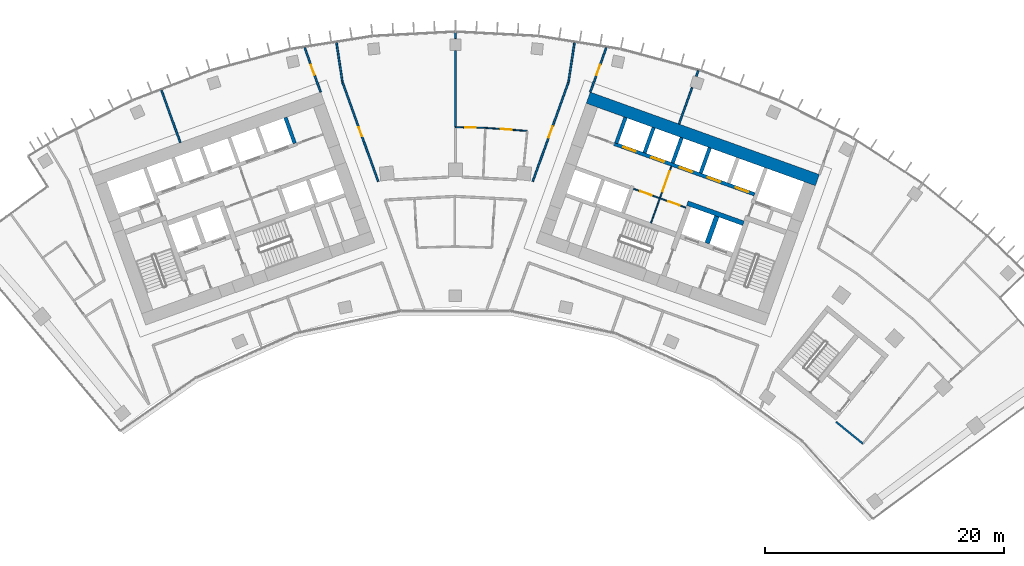
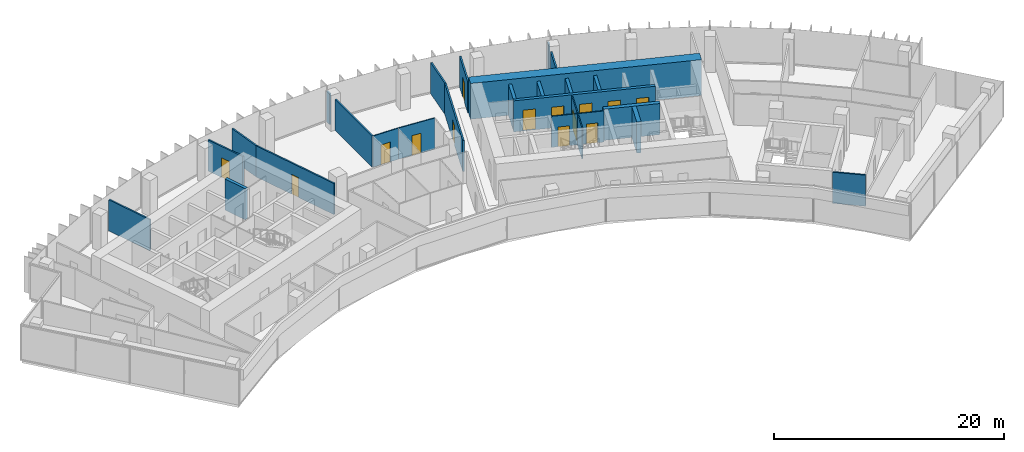
# One storey, part 15 of 19: 25 walls, 14 doors, 14 openings.
"""IFC4 building model written with IfcOpenShell, lengths in metres."""

import ifcopenshell
import ifcopenshell.guid

model = None  # the IFC model being written
_history = None  # IfcOwnerHistory: only IFC2X3 demands one
_inside = {}  # id of a spatial element -> (the spatial element, [elements in it])
_under = {}  # id of a project, library or spatial element -> (it, [spatial elements below it])
_declared = {}  # id of a project -> (the project, [libraries it declares])
_typed = {}  # id of a type object -> (the type object, [elements of that type])
_made_of = {}  # id of a material, layer set ... -> (it, [elements and type objects made of it])


def new_model(schema):
    """Start an empty IFC model of exactly this schema.

    Asked for "IFC4X3", IfcOpenShell would pick the latest addendum, in which some entities
    have other attributes; the version numbers below select the first issue.
    IFC2X3 requires an IfcOwnerHistory on every rooted entity: one is made here for all.
    """
    global model, _history
    if schema == "IFC4X3":
        model = ifcopenshell.file(schema_version=(4, 3, 0, 0))
    else:
        model = ifcopenshell.file(schema=schema)
    _inside.clear()
    _under.clear()
    _declared.clear()
    _typed.clear()
    _made_of.clear()
    _history = None
    if model.schema == "IFC2X3":
        org = make("IfcOrganization", Name="unknown")
        user = make(
            "IfcPersonAndOrganization",
            ThePerson=make("IfcPerson", FamilyName="unknown"),
            TheOrganization=org,
        )
        app = make(
            "IfcApplication",
            ApplicationDeveloper=org,
            Version="unknown",
            ApplicationFullName="unknown",
            ApplicationIdentifier="unknown",
        )
        _history = make(
            "IfcOwnerHistory",
            OwningUser=user,
            OwningApplication=app,
            ChangeAction="ADDED",
            CreationDate=0,
        )
    return model


def make(cls, **values):
    """One entity of the class cls with the attributes given. An attribute that is None is left unset."""
    return model.create_entity(
        cls, **{name: value for name, value in values.items() if value is not None}
    )


def rooted(cls, **values):
    """An entity with a GlobalId (a new one), such as an element, a storey or a relation."""
    return make(cls, GlobalId=ifcopenshell.guid.new(), OwnerHistory=_history, **values)


def si_unit(unit_type, name, prefix=None):
    """IfcSIUnit, for example si_unit("LENGTHUNIT", "METRE", prefix="MILLI")."""
    return make("IfcSIUnit", UnitType=unit_type, Prefix=prefix, Name=name)


def assignment(units):
    """IfcUnitAssignment: the units of a project."""
    return None if units is None else make("IfcUnitAssignment", Units=units)


def point(xyz):
    """IfcCartesianPoint."""
    return None if xyz is None else make("IfcCartesianPoint", Coordinates=xyz)


def direction(xyz):
    """IfcDirection."""
    return None if xyz is None else make("IfcDirection", DirectionRatios=xyz)


def frame(location, z_axis=None, x_axis=None):
    """IfcAxis2Placement3D, a coordinate frame: its origin and axes. An axis left out is left unset."""
    return make(
        "IfcAxis2Placement3D",
        Location=point(location),
        Axis=direction(z_axis),
        RefDirection=direction(x_axis),
    )


def frame_2d(location, x_axis=None):
    """IfcAxis2Placement2D, a coordinate frame in the plane: its origin and x axis."""
    return make(
        "IfcAxis2Placement2D", Location=point(location), RefDirection=direction(x_axis)
    )


def origin():
    """The frame at (0, 0, 0) with its axes left unset."""
    return frame((0.0, 0.0, 0.0))


def place(relative_to, where):
    """IfcLocalPlacement: puts the frame where relative to a parent placement (None: the world)."""
    return make(
        "IfcLocalPlacement", PlacementRelTo=relative_to, RelativePlacement=where
    )


def context(
    kind, dimensions, precision=None, world=None, true_north=None, identifier=None
):
    """IfcGeometricRepresentationContext, for example the 3D "Model" context."""
    return make(
        "IfcGeometricRepresentationContext",
        ContextIdentifier=identifier,
        ContextType=kind,
        CoordinateSpaceDimension=dimensions,
        Precision=precision,
        WorldCoordinateSystem=world,
        TrueNorth=true_north,
    )


def subcontext(parent, identifier, kind, view, scale=None):
    """IfcGeometricRepresentationSubContext, for example "Body" below "Model"."""
    return make(
        "IfcGeometricRepresentationSubContext",
        ContextIdentifier=identifier,
        ContextType=kind,
        ParentContext=parent,
        TargetScale=scale,
        TargetView=view,
    )


def project(units=None, contexts=None):
    """IfcProject with its units and contexts."""
    return rooted(
        "IfcProject",
        Name="project",
        RepresentationContexts=contexts,
        UnitsInContext=assignment(units),
    )


def spatial(cls, under=None, at=None, **own):
    """A site, building, storey or space (cls), placed at a placement, below another one or the project."""
    s = rooted(cls, ObjectPlacement=at, **own)
    if under is not None:
        _under.setdefault(under.id(), (under, []))[1].append(s)
    return s


def profile(cls, at=None, kind="AREA", **sizes):
    """A parametric profile (cls). Its sizes go by their IFC names, for example OverallWidth=200.0."""
    return make(cls, ProfileType=kind, Position=at, **sizes)


def rectangle(**sizes):
    """IfcRectangleProfileDef."""
    return profile("IfcRectangleProfileDef", **sizes)


def extrude(swept, where, along, depth):
    """IfcExtrudedAreaSolid: the profile swept, set in the frame where, extruded along a direction by depth."""
    return make(
        "IfcExtrudedAreaSolid",
        SweptArea=swept,
        Position=where,
        ExtrudedDirection=direction(along),
        Depth=depth,
    )


def shape(context_of_items, identifier, shape_type, items):
    """IfcShapeRepresentation: the items that make up one representation, for example the "Body"."""
    return make(
        "IfcShapeRepresentation",
        ContextOfItems=context_of_items,
        RepresentationIdentifier=identifier,
        RepresentationType=shape_type,
        Items=items,
    )


def material(Name=None, Category=None):
    """IfcMaterial."""
    return make("IfcMaterial", Name=Name, Category=Category)


def layer(
    of_material, thickness, ventilated=None, Name=None, Category=None, Priority=None
):
    """IfcMaterialLayer: one layer of a wall or slab, of a material (None: an air gap)."""
    return make(
        "IfcMaterialLayer",
        Material=of_material,
        LayerThickness=thickness,
        IsVentilated=ventilated,
        Name=Name,
        Category=Category,
        Priority=Priority,
    )


def layer_set(layers, Name=None):
    """IfcMaterialLayerSet."""
    return make("IfcMaterialLayerSet", MaterialLayers=layers, LayerSetName=Name)


def made_of(thing, what):
    """Note that an element or type object is made of a material, layer set ...; save() writes the relation."""
    if what is not None:
        _made_of.setdefault(what.id(), (what, []))[1].append(thing)
    return thing


def type_object(cls, material=None, **own):
    """A type object (cls), such as IfcWallType, which elements share."""
    return made_of(rooted(cls, **own), material)


def element(
    cls,
    number,
    at=None,
    inside=None,
    cuts=None,
    type_object=None,
    material=None,
    context=None,
    identifier="Body",
    shape_type=None,
    held_by="IfcProductDefinitionShape",
    body=None,
    shapes=None,
    **own,
):
    """One element of the class cls, such as IfcWall. Its Tag is "e" and its number.

    at: its placement. inside: the storey or other place that contains it. cuts: it is an
    opening in that element (IfcRelVoidsElement). A single representation is given by context,
    identifier, shape_type and body (its items); several are given by shapes. held_by: the class
    of the entity that holds the representations. save() writes the other relations.
    """
    e = rooted(cls, Tag="e%d" % number, ObjectPlacement=at, **own)
    if body is not None:
        shapes = [shape(context, identifier, shape_type, body)]
    if shapes is not None:
        e.Representation = make(held_by, Representations=shapes)
    if inside is not None:
        _inside.setdefault(inside.id(), (inside, []))[1].append(e)
    if cuts is not None:
        rooted(
            "IfcRelVoidsElement", RelatingBuildingElement=cuts, RelatedOpeningElement=e
        )
    if type_object is not None:
        _typed.setdefault(type_object.id(), (type_object, []))[1].append(e)
    return made_of(e, material)


def fill(opening, filler):
    """IfcRelFillsElement: the door or window that sits in an opening."""
    return rooted(
        "IfcRelFillsElement",
        RelatingOpeningElement=opening,
        RelatedBuildingElement=filler,
    )


def aggregate(whole, parts):
    """IfcRelAggregates: a whole, such as a stair, and the parts it consists of."""
    return rooted("IfcRelAggregates", RelatingObject=whole, RelatedObjects=parts)


def save(model, path):
    """Write the relations noted so far, then the file.

    IfcRelAggregates (storeys below a building ...), IfcRelContainedInSpatialStructure (elements
    in a storey), IfcRelDefinesByType, IfcRelAssociatesMaterial and IfcRelDeclares: one each for
    every whole, place, type object, material and project.
    """
    for whole, parts in _under.values():
        aggregate(whole, parts)
    for where, things in _inside.values():
        rooted(
            "IfcRelContainedInSpatialStructure",
            RelatedElements=things,
            RelatingStructure=where,
        )
    for kind, things in _typed.values():
        rooted("IfcRelDefinesByType", RelatedObjects=things, RelatingType=kind)
    for what, things in _made_of.values():
        rooted("IfcRelAssociatesMaterial", RelatedObjects=things, RelatingMaterial=what)
    for by, libraries in _declared.values():
        rooted("IfcRelDeclares", RelatingContext=by, RelatedDefinitions=libraries)
    model.write(path)


model = new_model("IFC4")

# Units and contexts
model_context = context("Model", 3, precision=1e-05, world=origin(), true_north=direction((0.0, 1.0)))
body_context = subcontext(model_context, "Body", "Model", "MODEL_VIEW")
ifc_project = project(units=[si_unit("LENGTHUNIT", "METRE"), si_unit("AREAUNIT", "SQUARE_METRE"), si_unit("VOLUMEUNIT", "CUBIC_METRE"), si_unit("PLANEANGLEUNIT", "RADIAN"), si_unit("MASSUNIT", "GRAM", prefix="KILO")], contexts=[model_context])

# Site, building, storey
site_placement = place(None, origin())
site = spatial("IfcSite", under=ifc_project, at=site_placement, CompositionType="ELEMENT")
building_placement = place(site_placement, origin())
building = spatial("IfcBuilding", under=site, at=building_placement, Name="Stone Belt Terrace Tower", CompositionType="ELEMENT")
storey_placement = place(building_placement, frame((0.0, 0.0, 246.60009765625)))
storey = spatial("IfcBuildingStorey", under=building, at=storey_placement, Name="L60", CompositionType="ELEMENT", Elevation=246.60009765625)

# Wall, openings, doors
ifc_material_1 = material(Name="Plasterboard partition")
ifc_layer_1 = layer(ifc_material_1, 0.10009765625)
ifc_layer_set_1 = layer_set([ifc_layer_1], Name="Core partition 100")
wall_type_1 = type_object("IfcWallType", Name="Core partition 100", PredefinedType="PARTITIONING", material=ifc_layer_set_1)
wall_1_placement = place(storey_placement, frame((19.29052734375, 51.829833984375, 0.0), z_axis=(0.0, 0.0, 1.0), x_axis=(-0.940930240745, 0.338600475563, 0.0)))
wall_1 = element("IfcWall", 1, at=wall_1_placement, inside=storey, type_object=wall_type_1, Name="Core B wall", PredefinedType="PARTITIONING", context=body_context, shape_type="SweptSolid", body=[
    extrude(rectangle(XDim=4.64990234375, YDim=0.10009765625, at=frame_2d((2.324951171875, 0.0))), origin(), (0.0, 0.0, 1.0), 3.2998046875),
])
opening_1_placement = place(wall_1_placement, frame((0.550048828125, 0.0, 0.0)))
opening_1 = element("IfcOpeningElement", 2, at=opening_1_placement, cuts=wall_1, Name="Opening L60-C16", PredefinedType="OPENING", context=body_context, shape_type="SweptSolid", body=[
    extrude(rectangle(XDim=1.0, YDim=2.10009765625, at=frame_2d((0.5, 1.050048828125))), frame((0.0, 0.06005859375, 0.0), z_axis=(0.0, -1.0, 0.0), x_axis=(1.0, 0.0, 0.0)), (0.0, 0.0, 1.0), 0.1201171875),
])
opening_2_placement = place(wall_1_placement, frame((3.050048828125, 0.0, 0.0)))
opening_2 = element("IfcOpeningElement", 3, at=opening_2_placement, cuts=wall_1, Name="Opening L60-C17", PredefinedType="OPENING", context=body_context, shape_type="SweptSolid", body=[
    extrude(rectangle(XDim=1.0, YDim=2.10009765625, at=frame_2d((0.5, 1.050048828125))), frame((0.0, 0.06005859375, 0.0), z_axis=(0.0, -1.0, 0.0), x_axis=(1.0, 0.0, 0.0)), (0.0, 0.0, 1.0), 0.1201171875),
])
ifc_material_2 = material(Name="Timber door leaf", Category="wood")
door_type_1 = type_object("IfcDoorType", Name="Core room door 1000", OperationType="SINGLE_SWING_LEFT", PredefinedType="DOOR", material=ifc_material_2)
door_1_placement = place(opening_1_placement, origin())
door_1 = element("IfcDoor", 4, at=door_1_placement, inside=storey, type_object=door_type_1, Name="Door to Print and copy room core B", OperationType="SINGLE_SWING_RIGHT", OverallHeight=2.10009765625, OverallWidth=1.0, PredefinedType="DOOR", context=body_context, shape_type="SweptSolid", body=[
    extrude(rectangle(XDim=1.0, YDim=2.10009765625, at=frame_2d((0.5, 1.050048828125))), frame((0.0, 0.02490234375, 0.0), z_axis=(0.0, -1.0, 0.0), x_axis=(1.0, 0.0, 0.0)), (0.0, 0.0, 1.0), 0.050048828125),
])
fill(opening_1, door_1)
door_2_placement = place(opening_2_placement, origin())
door_2 = element("IfcDoor", 5, at=door_2_placement, inside=storey, type_object=door_type_1, Name="Door to Pantry core B", OperationType="SINGLE_SWING_LEFT", OverallHeight=2.10009765625, OverallWidth=1.0, PredefinedType="DOOR", context=body_context, shape_type="SweptSolid", body=[
    extrude(rectangle(XDim=1.0, YDim=2.10009765625, at=frame_2d((0.5, 1.050048828125))), frame((0.0, 0.02490234375, 0.0), z_axis=(0.0, -1.0, 0.0), x_axis=(1.0, 0.0, 0.0)), (0.0, 0.0, 1.0), 0.050048828125),
])
fill(opening_2, door_2)

# Wall, opening, door
wall_2_placement = place(storey_placement, frame((16.38134765625, 50.53857421875, 0.0), z_axis=(0.0, 0.0, 1.0), x_axis=(0.33860476744, 0.940928696271, 0.0)))
wall_2 = element("IfcWall", 6, at=wall_2_placement, inside=storey, type_object=wall_type_1, Name="Core B wall", PredefinedType="PARTITIONING", context=body_context, shape_type="SweptSolid", body=[
    extrude(rectangle(XDim=5.050048828125, YDim=0.10009765625, at=frame_2d((2.52490234375, 0.0))), origin(), (0.0, 0.0, 1.0), 3.2998046875),
])
opening_3_placement = place(wall_2_placement, frame((2.800048828125, 0.0, 0.0)))
opening_3 = element("IfcOpeningElement", 7, at=opening_3_placement, cuts=wall_2, Name="Opening L60-C20", PredefinedType="OPENING", context=body_context, shape_type="SweptSolid", body=[
    extrude(rectangle(XDim=1.800048828125, YDim=2.10009765625, at=frame_2d((0.89990234375, 1.050048828125))), frame((0.0, 0.06005859375, 0.0), z_axis=(0.0, -1.0, 0.0), x_axis=(1.0, 0.0, 0.0)), (0.0, 0.0, 1.0), 0.1201171875),
])
ifc_material_3 = material(Name="Glazed aluminium door leaf", Category="aluminium")
door_type_2 = type_object("IfcDoorType", Name="Lift lobby entrance door 1800", OperationType="DOUBLE_DOOR_SINGLE_SWING", PredefinedType="DOOR", material=ifc_material_3)
door_3_placement = place(opening_3_placement, origin())
door_3 = element("IfcDoor", 8, at=door_3_placement, inside=storey, type_object=door_type_2, Name="Lift lobby double door core B", OperationType="DOUBLE_DOOR_SINGLE_SWING", OverallHeight=2.10009765625, OverallWidth=1.800048828125, PredefinedType="DOOR", context=body_context, shape_type="SweptSolid", body=[
    extrude(rectangle(XDim=1.800048828125, YDim=2.10009765625, at=frame_2d((0.89990234375, 1.050048828125))), frame((0.0, 0.02490234375, 0.0), z_axis=(0.0, -1.0, 0.0), x_axis=(1.0, 0.0, 0.0)), (0.0, 0.0, 1.0), 0.050048828125),
])
fill(opening_3, door_3)

# Walls
ifc_material_4 = material(Name="Concrete B60", Category="concrete")
ifc_layer_2 = layer(ifc_material_4, 1.0)
ifc_layer_set_2 = layer_set([ifc_layer_2], Name="Core wall 1000 B60")
wall_type_2 = type_object("IfcWallType", Name="Core wall 1000 B60", PredefinedType="SHEAR", material=ifc_layer_set_2)
wall_3_placement = place(storey_placement, frame((11.12646484375, 61.038330078125, 0.0), z_axis=(0.0, 0.0, 1.0), x_axis=(0.940921428504, -0.338624962727, 0.0)))
element("IfcWall", 9, at=wall_3_placement, inside=storey, type_object=wall_type_2, Name="Core B wall convex L60", PredefinedType="SHEAR", context=body_context, shape_type="SweptSolid", body=[
    extrude(rectangle(XDim=20.400146484375, YDim=1.0, at=frame_2d((10.2001953125, 0.0))), origin(), (0.0, 0.0, 1.0), 3.7998046875),
])
ifc_material_5 = material(Name="Concrete B80", Category="concrete")
ifc_layer_3 = layer(ifc_material_5, 0.39990234375)
ifc_layer_set_3 = layer_set([ifc_layer_3], Name="Fire-fighting lift shaft wall 400")
wall_type_3 = type_object("IfcWallType", Name="Fire-fighting lift shaft wall 400", PredefinedType="SHEAR", material=ifc_layer_set_3)
wall_4_placement = place(storey_placement, frame((24.130615234375, 50.512939453125, 0.0), z_axis=(0.0, 0.0, 1.0), x_axis=(-0.94091168377, 0.338652038744, 0.0)))
element("IfcWall", 10, at=wall_4_placement, inside=storey, type_object=wall_type_3, Name="Core B wall", PredefinedType="SHEAR", context=body_context, shape_type="SweptSolid", body=[
    extrude(rectangle(XDim=5.000244140625, YDim=0.39990234375, at=frame_2d((2.5, 0.0))), origin(), (0.0, 0.0, 1.0), 3.2998046875),
])
wall_5_placement = place(storey_placement, frame((21.0859375, 48.845458984375, 0.0), z_axis=(0.0, 0.0, 1.0), x_axis=(0.338629416206, 0.940919825745, 0.0)))
element("IfcWall", 11, at=wall_5_placement, inside=storey, type_object=wall_type_3, Name="Core B wall", PredefinedType="SHEAR", context=body_context, shape_type="SweptSolid", body=[
    extrude(rectangle(XDim=2.400146484375, YDim=0.39990234375, at=frame_2d((1.2001953125, 0.0))), origin(), (0.0, 0.0, 1.0), 3.2998046875),
])
ifc_layer_4 = layer(ifc_material_5, 0.300048828125)
ifc_layer_set_4 = layer_set([ifc_layer_4], Name="Lift shaft wall 300")
wall_type_4 = type_object("IfcWallType", Name="Lift shaft wall 300", PredefinedType="SHEAR", material=ifc_layer_set_4)
wall_6_placement = place(storey_placement, frame((-13.471435546875, 57.218505859375, 0.0), z_axis=(0.0, 0.0, 1.0), x_axis=(-0.338587917, 0.940934759939, 0.0)))
element("IfcWall", 12, at=wall_6_placement, inside=storey, type_object=wall_type_4, Name="Core A wall", PredefinedType="SHEAR", context=body_context, shape_type="SweptSolid", body=[
    extrude(rectangle(XDim=2.300048828125, YDim=0.300048828125, at=frame_2d((1.14990234375, 0.0))), origin(), (0.0, 0.0, 1.0), 3.2998046875),
])

# Wall, openings, doors
wall_7_placement = place(storey_placement, frame((25.05810546875, 52.9423828125, 0.0), z_axis=(0.0, 0.0, 1.0), x_axis=(-0.940920770291, 0.338626791666, 0.0)))
wall_7 = element("IfcWall", 13, at=wall_7_placement, inside=storey, type_object=wall_type_4, Name="Core B wall", PredefinedType="SHEAR", context=body_context, shape_type="SweptSolid", body=[
    extrude(rectangle(XDim=12.500244140625, YDim=0.300048828125, at=frame_2d((6.25, 0.0))), origin(), (0.0, 0.0, 1.0), 3.2998046875),
])
opening_4_placement = place(wall_7_placement, frame((0.570068359375, 0.0, 0.0)))
opening_4 = element("IfcOpeningElement", 14, at=opening_4_placement, cuts=wall_7, Name="Opening L60-LD09", PredefinedType="OPENING", context=body_context, shape_type="SweptSolid", body=[
    extrude(rectangle(XDim=1.10009765625, YDim=2.199951171875, at=frame_2d((0.550048828125, 1.10009765625))), frame((0.0, 0.159912109375, 0.0), z_axis=(0.0, -1.0, 0.0), x_axis=(1.0, 0.0, 0.0)), (0.0, 0.0, 1.0), 0.320068359375),
])
opening_5_placement = place(wall_7_placement, frame((3.070068359375, 0.0, 0.0)))
opening_5 = element("IfcOpeningElement", 15, at=opening_5_placement, cuts=wall_7, Name="Opening L60-LD10", PredefinedType="OPENING", context=body_context, shape_type="SweptSolid", body=[
    extrude(rectangle(XDim=1.10009765625, YDim=2.199951171875, at=frame_2d((0.550048828125, 1.10009765625))), frame((0.0, 0.159912109375, 0.0), z_axis=(0.0, -1.0, 0.0), x_axis=(1.0, 0.0, 0.0)), (0.0, 0.0, 1.0), 0.320068359375),
])
opening_6_placement = place(wall_7_placement, frame((5.570068359375, 0.0, 0.0)))
opening_6 = element("IfcOpeningElement", 16, at=opening_6_placement, cuts=wall_7, Name="Opening L60-LD11", PredefinedType="OPENING", context=body_context, shape_type="SweptSolid", body=[
    extrude(rectangle(XDim=1.10009765625, YDim=2.199951171875, at=frame_2d((0.550048828125, 1.10009765625))), frame((0.0, 0.159912109375, 0.0), z_axis=(0.0, -1.0, 0.0), x_axis=(1.0, 0.0, 0.0)), (0.0, 0.0, 1.0), 0.320068359375),
])
opening_7_placement = place(wall_7_placement, frame((8.070068359375, 0.0, 0.0)))
opening_7 = element("IfcOpeningElement", 17, at=opening_7_placement, cuts=wall_7, Name="Opening L60-LD12", PredefinedType="OPENING", context=body_context, shape_type="SweptSolid", body=[
    extrude(rectangle(XDim=1.10009765625, YDim=2.199951171875, at=frame_2d((0.550048828125, 1.10009765625))), frame((0.0, 0.159912109375, 0.0), z_axis=(0.0, -1.0, 0.0), x_axis=(1.0, 0.0, 0.0)), (0.0, 0.0, 1.0), 0.320068359375),
])
opening_8_placement = place(wall_7_placement, frame((10.570068359375, 0.0, 0.0)))
opening_8 = element("IfcOpeningElement", 18, at=opening_8_placement, cuts=wall_7, Name="Opening L60-LD13", PredefinedType="OPENING", context=body_context, shape_type="SweptSolid", body=[
    extrude(rectangle(XDim=1.10009765625, YDim=2.199951171875, at=frame_2d((0.550048828125, 1.10009765625))), frame((0.0, 0.159912109375, 0.0), z_axis=(0.0, -1.0, 0.0), x_axis=(1.0, 0.0, 0.0)), (0.0, 0.0, 1.0), 0.320068359375),
])
ifc_material_6 = material(Name="Stainless steel door leaf", Category="steel")
door_type_3 = type_object("IfcDoorType", Name="Landing door 1100", OperationType="SLIDING_TO_LEFT", PredefinedType="DOOR", material=ifc_material_6)
door_4_placement = place(opening_4_placement, origin())
door_4 = element("IfcDoor", 19, at=door_4_placement, inside=storey, type_object=door_type_3, Name="Landing door MR1 core B", OperationType="SLIDING_TO_LEFT", OverallHeight=2.199951171875, OverallWidth=1.10009765625, PredefinedType="DOOR", context=body_context, shape_type="SweptSolid", body=[
    extrude(rectangle(XDim=1.10009765625, YDim=2.199951171875, at=frame_2d((0.550048828125, 1.10009765625))), frame((0.0, 0.02490234375, 0.0), z_axis=(0.0, -1.0, 0.0), x_axis=(1.0, 0.0, 0.0)), (0.0, 0.0, 1.0), 0.050048828125),
])
fill(opening_4, door_4)
door_5_placement = place(opening_5_placement, origin())
door_5 = element("IfcDoor", 20, at=door_5_placement, inside=storey, type_object=door_type_3, Name="Landing door MR2 core B", OperationType="SLIDING_TO_LEFT", OverallHeight=2.199951171875, OverallWidth=1.10009765625, PredefinedType="DOOR", context=body_context, shape_type="SweptSolid", body=[
    extrude(rectangle(XDim=1.10009765625, YDim=2.199951171875, at=frame_2d((0.550048828125, 1.10009765625))), frame((0.0, 0.02490234375, 0.0), z_axis=(0.0, -1.0, 0.0), x_axis=(1.0, 0.0, 0.0)), (0.0, 0.0, 1.0), 0.050048828125),
])
fill(opening_5, door_5)
door_6_placement = place(opening_6_placement, origin())
door_6 = element("IfcDoor", 21, at=door_6_placement, inside=storey, type_object=door_type_3, Name="Landing door MR3 core B", OperationType="SLIDING_TO_LEFT", OverallHeight=2.199951171875, OverallWidth=1.10009765625, PredefinedType="DOOR", context=body_context, shape_type="SweptSolid", body=[
    extrude(rectangle(XDim=1.10009765625, YDim=2.199951171875, at=frame_2d((0.550048828125, 1.10009765625))), frame((0.0, 0.02490234375, 0.0), z_axis=(0.0, -1.0, 0.0), x_axis=(1.0, 0.0, 0.0)), (0.0, 0.0, 1.0), 0.050048828125),
])
fill(opening_6, door_6)
door_7_placement = place(opening_7_placement, origin())
door_7 = element("IfcDoor", 22, at=door_7_placement, inside=storey, type_object=door_type_3, Name="Landing door MR4 core B", OperationType="SLIDING_TO_LEFT", OverallHeight=2.199951171875, OverallWidth=1.10009765625, PredefinedType="DOOR", context=body_context, shape_type="SweptSolid", body=[
    extrude(rectangle(XDim=1.10009765625, YDim=2.199951171875, at=frame_2d((0.550048828125, 1.10009765625))), frame((0.0, 0.02490234375, 0.0), z_axis=(0.0, -1.0, 0.0), x_axis=(1.0, 0.0, 0.0)), (0.0, 0.0, 1.0), 0.050048828125),
])
fill(opening_7, door_7)
door_8_placement = place(opening_8_placement, origin())
door_8 = element("IfcDoor", 23, at=door_8_placement, inside=storey, type_object=door_type_3, Name="Landing door MR5 core B", OperationType="SLIDING_TO_LEFT", OverallHeight=2.199951171875, OverallWidth=1.10009765625, PredefinedType="DOOR", context=body_context, shape_type="SweptSolid", body=[
    extrude(rectangle(XDim=1.10009765625, YDim=2.199951171875, at=frame_2d((0.550048828125, 1.10009765625))), frame((0.0, 0.02490234375, 0.0), z_axis=(0.0, -1.0, 0.0), x_axis=(1.0, 0.0, 0.0)), (0.0, 0.0, 1.0), 0.050048828125),
])
fill(opening_8, door_8)

# Walls
wall_8_placement = place(storey_placement, frame((20.54541015625, 54.72607421875, 0.0), z_axis=(0.0, 0.0, 1.0), x_axis=(0.338569601369, 0.940941350472, 0.0)))
element("IfcWall", 24, at=wall_8_placement, inside=storey, type_object=wall_type_4, Name="Core B wall", PredefinedType="SHEAR", context=body_context, shape_type="SweptSolid", body=[
    extrude(rectangle(XDim=2.249755859375, YDim=0.300048828125, at=frame_2d((1.125, 0.0))), origin(), (0.0, 0.0, 1.0), 3.2998046875),
])
wall_9_placement = place(storey_placement, frame((18.193115234375, 55.572509765625, 0.0), z_axis=(0.0, 0.0, 1.0), x_axis=(0.338535034312, 0.940953787677, 0.0)))
element("IfcWall", 25, at=wall_9_placement, inside=storey, type_object=wall_type_4, Name="Core B wall", PredefinedType="SHEAR", context=body_context, shape_type="SweptSolid", body=[
    extrude(rectangle(XDim=2.25, YDim=0.300048828125, at=frame_2d((1.125, 0.0))), origin(), (0.0, 0.0, 1.0), 3.2998046875),
])
wall_10_placement = place(storey_placement, frame((15.8408203125, 56.419189453125, 0.0), z_axis=(0.0, 0.0, 1.0), x_axis=(0.338569601369, 0.940941350472, 0.0)))
element("IfcWall", 26, at=wall_10_placement, inside=storey, type_object=wall_type_4, Name="Core B wall", PredefinedType="SHEAR", context=body_context, shape_type="SweptSolid", body=[
    extrude(rectangle(XDim=2.249755859375, YDim=0.300048828125, at=frame_2d((1.125, 0.0))), origin(), (0.0, 0.0, 1.0), 3.2998046875),
])
wall_11_placement = place(storey_placement, frame((13.471435546875, 57.218505859375, 0.0), z_axis=(0.0, 0.0, 1.0), x_axis=(0.338587917, 0.940934759939, 0.0)))
element("IfcWall", 27, at=wall_11_placement, inside=storey, type_object=wall_type_4, Name="Core B wall", PredefinedType="SHEAR", context=body_context, shape_type="SweptSolid", body=[
    extrude(rectangle(XDim=2.300048828125, YDim=0.300048828125, at=frame_2d((1.14990234375, 0.0))), origin(), (0.0, 0.0, 1.0), 3.2998046875),
])

# Wall, opening, door
ifc_material_7 = material(Name="Gypsum board partition")
ifc_layer_5 = layer(ifc_material_7, 0.10009765625)
ifc_layer_set_5 = layer_set([ifc_layer_5], Name="PARTITION 100")
wall_type_5 = type_object("IfcWallType", Name="PARTITION 100", PredefinedType="PARTITIONING", material=ifc_layer_set_5)
wall_12_placement = place(storey_placement, frame((2.501953125, 58.510986328125, 0.0), z_axis=(0.0, 0.0, 1.0), x_axis=(-0.999767552504, 0.021560170678, 0.0)))
wall_12 = element("IfcWall", 28, at=wall_12_placement, inside=storey, type_object=wall_type_5, Name="L60/wall/i079", PredefinedType="PARTITIONING", context=body_context, shape_type="SweptSolid", body=[
    extrude(rectangle(XDim=2.50244140625, YDim=0.10009765625, at=frame_2d((1.251220703125, 0.0))), origin(), (0.0, 0.0, 1.0), 3.2998046875),
])
opening_9_placement = place(wall_12_placement, frame((0.80126953125, 0.0, 0.0)))
opening_9 = element("IfcOpeningElement", 29, at=opening_9_placement, cuts=wall_12, Name="Opening D-D5b-26", PredefinedType="OPENING", context=body_context, shape_type="SweptSolid", body=[
    extrude(rectangle(XDim=0.89990234375, YDim=2.10009765625, at=frame_2d((0.449951171875, 1.050048828125))), frame((0.0, 0.06005859375, 0.0), z_axis=(0.0, -1.0, 0.0), x_axis=(1.0, 0.0, 0.0)), (0.0, 0.0, 1.0), 0.1201171875),
])
door_type_4 = type_object("IfcDoorType", Name="OFFICE DOOR 900 X 2100", OperationType="NOTDEFINED", PredefinedType="DOOR", material=ifc_material_2)
door_9_placement = place(opening_9_placement, origin())
door_9 = element("IfcDoor", 30, at=door_9_placement, inside=storey, type_object=door_type_4, Name="L60/door/i26", OperationType="SINGLE_SWING_RIGHT", OverallHeight=2.10009765625, OverallWidth=0.89990234375, PredefinedType="DOOR", context=body_context, shape_type="SweptSolid", body=[
    extrude(rectangle(XDim=0.89990234375, YDim=2.10009765625, at=frame_2d((0.449951171875, 1.050048828125))), frame((0.0, 0.02490234375, 0.0), z_axis=(0.0, -1.0, 0.0), x_axis=(1.0, 0.0, 0.0)), (0.0, 0.0, 1.0), 0.050048828125),
])
fill(opening_9, door_9)

wall_13_placement = place(storey_placement, frame((6.01611328125, 58.2548828125, 0.0), z_axis=(0.0, 0.0, 1.0), x_axis=(-0.99735496008, 0.072684823755, 0.0)))
wall_13 = element("IfcWall", 31, at=wall_13_placement, inside=storey, type_object=wall_type_5, Name="L60/wall/i081", PredefinedType="PARTITIONING", context=body_context, shape_type="SweptSolid", body=[
    extrude(rectangle(XDim=3.5234375, YDim=0.10009765625, at=frame_2d((1.76171875, 0.0))), origin(), (0.0, 0.0, 1.0), 3.2998046875),
])
opening_10_placement = place(wall_13_placement, frame((1.311767578125, 0.0, 0.0)))
opening_10 = element("IfcOpeningElement", 32, at=opening_10_placement, cuts=wall_13, Name="Opening D-D5b-27", PredefinedType="OPENING", context=body_context, shape_type="SweptSolid", body=[
    extrude(rectangle(XDim=0.89990234375, YDim=2.10009765625, at=frame_2d((0.449951171875, 1.050048828125))), frame((0.0, 0.06005859375, 0.0), z_axis=(0.0, -1.0, 0.0), x_axis=(1.0, 0.0, 0.0)), (0.0, 0.0, 1.0), 0.1201171875),
])
door_10_placement = place(opening_10_placement, origin())
door_10 = element("IfcDoor", 33, at=door_10_placement, inside=storey, type_object=door_type_4, Name="L60/door/i27", OperationType="SINGLE_SWING_RIGHT", OverallHeight=2.10009765625, OverallWidth=0.89990234375, PredefinedType="DOOR", context=body_context, shape_type="SweptSolid", body=[
    extrude(rectangle(XDim=0.89990234375, YDim=2.10009765625, at=frame_2d((0.449951171875, 1.050048828125))), frame((0.0, 0.02490234375, 0.0), z_axis=(0.0, -1.0, 0.0), x_axis=(1.0, 0.0, 0.0)), (0.0, 0.0, 1.0), 0.050048828125),
])
fill(opening_10, door_10)

ifc_layer_6 = layer(ifc_material_7, 0.14990234375)
ifc_layer_set_6 = layer_set([ifc_layer_6], Name="PARTITION 150 EI 60")
wall_type_6 = type_object("IfcWallType", Name="PARTITION 150 EI 60", PredefinedType="PARTITIONING", material=ifc_layer_set_6)
wall_14_placement = place(storey_placement, frame((-11.2958984375, 61.509033203125, 0.0), z_axis=(0.0, 0.0, 1.0), x_axis=(-0.338610223579, 0.940926732795, 0.0)))
wall_14 = element("IfcWall", 34, at=wall_14_placement, inside=storey, type_object=wall_type_6, Name="L60/wall/i007", PredefinedType="PARTITIONING", context=body_context, shape_type="SweptSolid", body=[
    extrude(rectangle(XDim=3.956787109375, YDim=0.14990234375, at=frame_2d((1.978515625, 0.0))), origin(), (0.0, 0.0, 1.0), 3.2998046875),
])
opening_11_placement = place(wall_14_placement, frame((1.5283203125, 0.0, 0.0)))
opening_11 = element("IfcOpeningElement", 35, at=opening_11_placement, cuts=wall_14, Name="Opening D-D5b-05", PredefinedType="OPENING", context=body_context, shape_type="SweptSolid", body=[
    extrude(rectangle(XDim=0.89990234375, YDim=2.10009765625, at=frame_2d((0.449951171875, 1.050048828125))), frame((0.0, 0.0849609375, 0.0), z_axis=(0.0, -1.0, 0.0), x_axis=(1.0, 0.0, 0.0)), (0.0, 0.0, 1.0), 0.169921875),
])
door_11_placement = place(opening_11_placement, origin())
door_11 = element("IfcDoor", 36, at=door_11_placement, inside=storey, type_object=door_type_4, Name="L60/door/i05", OperationType="SINGLE_SWING_RIGHT", OverallHeight=2.10009765625, OverallWidth=0.89990234375, PredefinedType="DOOR", context=body_context, shape_type="SweptSolid", body=[
    extrude(rectangle(XDim=0.89990234375, YDim=2.10009765625, at=frame_2d((0.449951171875, 1.050048828125))), frame((0.0, 0.02490234375, 0.0), z_axis=(0.0, -1.0, 0.0), x_axis=(1.0, 0.0, 0.0)), (0.0, 0.0, 1.0), 0.050048828125),
])
fill(opening_11, door_11)

# Wall
wall_15_placement = place(storey_placement, frame((-9.971923828125, 65.65576171875, 0.0), z_axis=(0.0, 0.0, 1.0), x_axis=(0.150154488208, -0.988662545903, 0.0)))
element("IfcWall", 37, at=wall_15_placement, inside=storey, type_object=wall_type_6, Name="L60/wall/i009", PredefinedType="PARTITIONING", context=body_context, shape_type="SweptSolid", body=[
    extrude(rectangle(XDim=3.35595703125, YDim=0.14990234375, at=frame_2d((1.677978515625, 0.0))), origin(), (0.0, 0.0, 1.0), 3.2998046875),
])

# Wall, opening, door
wall_16_placement = place(storey_placement, frame((-9.468017578125, 62.3369140625, 0.0), z_axis=(0.0, 0.0, 1.0), x_axis=(0.338603075024, -0.940929305307, 0.0)))
wall_16 = element("IfcWall", 38, at=wall_16_placement, inside=storey, type_object=wall_type_6, Name="L60/wall/i010", PredefinedType="PARTITIONING", context=body_context, shape_type="SweptSolid", body=[
    extrude(rectangle(XDim=8.839111328125, YDim=0.14990234375, at=frame_2d((4.41943359375, 0.0))), origin(), (0.0, 0.0, 1.0), 3.2998046875),
])
opening_12_placement = place(wall_16_placement, frame((4.01953125, 0.0, 0.0)))
opening_12 = element("IfcOpeningElement", 39, at=opening_12_placement, cuts=wall_16, Name="Opening D-D5b-24", PredefinedType="OPENING", context=body_context, shape_type="SweptSolid", body=[
    extrude(rectangle(XDim=0.800048828125, YDim=2.10009765625, at=frame_2d((0.39990234375, 1.050048828125))), frame((0.0, 0.0849609375, 0.0), z_axis=(0.0, -1.0, 0.0), x_axis=(1.0, 0.0, 0.0)), (0.0, 0.0, 1.0), 0.169921875),
])
door_type_5 = type_object("IfcDoorType", Name="STORE DOOR 800 X 2100", OperationType="NOTDEFINED", PredefinedType="DOOR", material=ifc_material_2)
door_12_placement = place(opening_12_placement, origin())
door_12 = element("IfcDoor", 40, at=door_12_placement, inside=storey, type_object=door_type_5, Name="L60/door/i24", OperationType="SINGLE_SWING_LEFT", OverallHeight=2.10009765625, OverallWidth=0.800048828125, PredefinedType="DOOR", context=body_context, shape_type="SweptSolid", body=[
    extrude(rectangle(XDim=0.800048828125, YDim=2.10009765625, at=frame_2d((0.39990234375, 1.050048828125))), frame((0.0, 0.02490234375, 0.0), z_axis=(0.0, -1.0, 0.0), x_axis=(1.0, 0.0, 0.0)), (0.0, 0.0, 1.0), 0.050048828125),
])
fill(opening_12, door_12)

# Wall
wall_17_placement = place(storey_placement, frame((-24.638916015625, 61.675048828125, 0.0), z_axis=(0.0, 0.0, 1.0), x_axis=(0.338671379008, -0.940904722616, 0.0)))
element("IfcWall", 41, at=wall_17_placement, inside=storey, type_object=wall_type_6, Name="L60/wall/i016", PredefinedType="PARTITIONING", context=body_context, shape_type="SweptSolid", body=[
    extrude(rectangle(XDim=4.674072265625, YDim=0.14990234375, at=frame_2d((2.3369140625, 0.0))), origin(), (0.0, 0.0, 1.0), 3.2998046875),
])

# Wall, opening, door
wall_18_placement = place(storey_placement, frame((12.6357421875, 65.232177734375, 0.0), z_axis=(0.0, 0.0, 1.0), x_axis=(-0.338610223579, -0.940926732795, 0.0)))
wall_18 = element("IfcWall", 42, at=wall_18_placement, inside=storey, type_object=wall_type_6, Name="L60/wall/i018", PredefinedType="PARTITIONING", context=body_context, shape_type="SweptSolid", body=[
    extrude(rectangle(XDim=3.956787109375, YDim=0.14990234375, at=frame_2d((1.978515625, 0.0))), origin(), (0.0, 0.0, 1.0), 3.2998046875),
])
opening_13_placement = place(wall_18_placement, frame((1.5283203125, 0.0, 0.0)))
opening_13 = element("IfcOpeningElement", 43, at=opening_13_placement, cuts=wall_18, Name="Opening D-D5b-09", PredefinedType="OPENING", context=body_context, shape_type="SweptSolid", body=[
    extrude(rectangle(XDim=0.89990234375, YDim=2.10009765625, at=frame_2d((0.449951171875, 1.050048828125))), frame((0.0, 0.0849609375, 0.0), z_axis=(0.0, -1.0, 0.0), x_axis=(1.0, 0.0, 0.0)), (0.0, 0.0, 1.0), 0.169921875),
])
door_13_placement = place(opening_13_placement, origin())
door_13 = element("IfcDoor", 44, at=door_13_placement, inside=storey, type_object=door_type_4, Name="L60/door/i09", OperationType="SINGLE_SWING_RIGHT", OverallHeight=2.10009765625, OverallWidth=0.89990234375, PredefinedType="DOOR", context=body_context, shape_type="SweptSolid", body=[
    extrude(rectangle(XDim=0.89990234375, YDim=2.10009765625, at=frame_2d((0.449951171875, 1.050048828125))), frame((0.0, 0.02490234375, 0.0), z_axis=(0.0, -1.0, 0.0), x_axis=(1.0, 0.0, 0.0)), (0.0, 0.0, 1.0), 0.050048828125),
])
fill(opening_13, door_13)

wall_19_placement = place(storey_placement, frame((6.47509765625, 54.02001953125, 0.0), z_axis=(0.0, 0.0, 1.0), x_axis=(0.338603075024, 0.940929305307, 0.0)))
wall_19 = element("IfcWall", 45, at=wall_19_placement, inside=storey, type_object=wall_type_6, Name="L60/wall/i020", PredefinedType="PARTITIONING", context=body_context, shape_type="SweptSolid", body=[
    extrude(rectangle(XDim=8.839111328125, YDim=0.14990234375, at=frame_2d((4.41943359375, 0.0))), origin(), (0.0, 0.0, 1.0), 3.2998046875),
])
opening_14_placement = place(wall_19_placement, frame((3.919677734375, 0.0, 0.0)))
opening_14 = element("IfcOpeningElement", 46, at=opening_14_placement, cuts=wall_19, Name="Opening D-D5b-25", PredefinedType="OPENING", context=body_context, shape_type="SweptSolid", body=[
    extrude(rectangle(XDim=1.0, YDim=2.10009765625, at=frame_2d((0.5, 1.050048828125))), frame((0.0, 0.0849609375, 0.0), z_axis=(0.0, -1.0, 0.0), x_axis=(1.0, 0.0, 0.0)), (0.0, 0.0, 1.0), 0.169921875),
])
ifc_material_8 = material(Name="Timber fire door leaf", Category="wood")
door_type_6 = type_object("IfcDoorType", Name="TENANCY ENTRANCE DOOR 1000 X 2100", OperationType="NOTDEFINED", PredefinedType="DOOR", material=ifc_material_8)
door_14_placement = place(opening_14_placement, origin())
door_14 = element("IfcDoor", 47, at=door_14_placement, inside=storey, type_object=door_type_6, Name="L60/door/i25", OperationType="SINGLE_SWING_RIGHT", OverallHeight=2.10009765625, OverallWidth=1.0, PredefinedType="DOOR", context=body_context, shape_type="SweptSolid", body=[
    extrude(rectangle(XDim=1.0, YDim=2.10009765625, at=frame_2d((0.5, 1.050048828125))), frame((0.0, 0.02490234375, 0.0), z_axis=(0.0, -1.0, 0.0), x_axis=(1.0, 0.0, 0.0)), (0.0, 0.0, 1.0), 0.050048828125),
])
fill(opening_14, door_14)

# Walls
wall_20_placement = place(storey_placement, frame((9.468017578125, 62.337890625, 0.0), z_axis=(0.0, 0.0, 1.0), x_axis=(0.150154488208, 0.988662545903, 0.0)))
element("IfcWall", 48, at=wall_20_placement, inside=storey, type_object=wall_type_6, Name="L60/wall/i021", PredefinedType="PARTITIONING", context=body_context, shape_type="SweptSolid", body=[
    extrude(rectangle(XDim=3.35595703125, YDim=0.14990234375, at=frame_2d((1.677978515625, 0.0))), origin(), (0.0, 0.0, 1.0), 3.2998046875),
])
wall_21_placement = place(storey_placement, frame((20.337890625, 63.302001953125, 0.0), z_axis=(0.0, 0.0, 1.0), x_axis=(-0.33892909722, -0.940811919066, 0.0)))
element("IfcWall", 49, at=wall_21_placement, inside=storey, type_object=wall_type_6, Name="L60/wall/i033", PredefinedType="PARTITIONING", context=body_context, shape_type="SweptSolid", body=[
    extrude(rectangle(XDim=0.494873046875, YDim=0.14990234375, at=frame_2d((0.24755859375, 0.0))), origin(), (0.0, 0.0, 1.0), 3.2998046875),
])
wall_22_placement = place(storey_placement, frame((19.828125, 61.885498046875, 0.0), z_axis=(0.0, 0.0, 1.0), x_axis=(-0.338610171134, -0.940926751668, 0.0)))
element("IfcWall", 50, at=wall_22_placement, inside=storey, type_object=wall_type_6, Name="L60/wall/i034", PredefinedType="PARTITIONING", context=body_context, shape_type="SweptSolid", body=[
    extrude(rectangle(XDim=3.2431640625, YDim=0.14990234375, at=frame_2d((1.62158203125, 0.0))), origin(), (0.0, 0.0, 1.0), 3.2998046875),
])
wall_23_placement = place(storey_placement, frame((34.133056640625, 32.055908203125, 0.0), z_axis=(0.0, 0.0, 1.0), x_axis=(-0.776369956068, 0.630277471686, 0.0)))
element("IfcWall", 51, at=wall_23_placement, inside=storey, type_object=wall_type_6, Name="L60/wall/i053", PredefinedType="PARTITIONING", context=body_context, shape_type="SweptSolid", body=[
    extrude(rectangle(XDim=2.8876953125, YDim=0.14990234375, at=frame_2d((1.44384765625, 0.0))), origin(), (0.0, 0.0, 1.0), 3.2998046875),
])
wall_24_placement = place(storey_placement, frame((0.0, 66.5, 0.0), z_axis=(0.0, 0.0, 1.0), x_axis=(0.0, -1.0, 0.0)))
element("IfcWall", 52, at=wall_24_placement, inside=storey, type_object=wall_type_6, Name="L60/wall/i076", PredefinedType="PARTITIONING", context=body_context, shape_type="SweptSolid", body=[
    extrude(rectangle(XDim=0.506103515625, YDim=0.14990234375, at=frame_2d((0.2529296875, 0.0))), origin(), (0.0, 0.0, 1.0), 3.2998046875),
])
wall_25_placement = place(storey_placement, frame((0.0, 64.98388671875, 0.0), z_axis=(0.0, 0.0, 1.0), x_axis=(0.0, -1.0, 0.0)))
element("IfcWall", 53, at=wall_25_placement, inside=storey, type_object=wall_type_6, Name="L60/wall/i077", PredefinedType="PARTITIONING", context=body_context, shape_type="SweptSolid", body=[
    extrude(rectangle(XDim=6.4248046875, YDim=0.14990234375, at=frame_2d((3.21240234375, 0.0))), origin(), (0.0, 0.0, 1.0), 3.2998046875),
])

save(model, "model.ifc")
